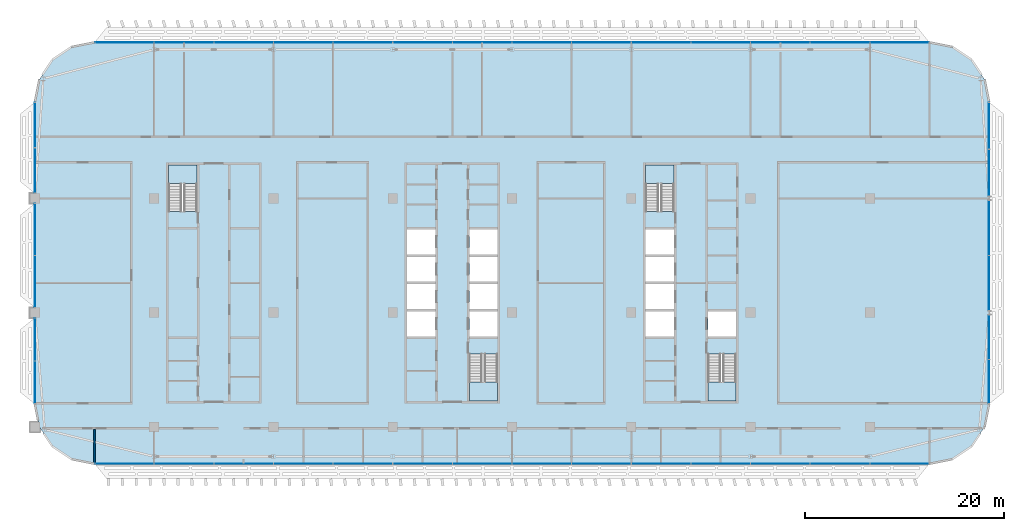
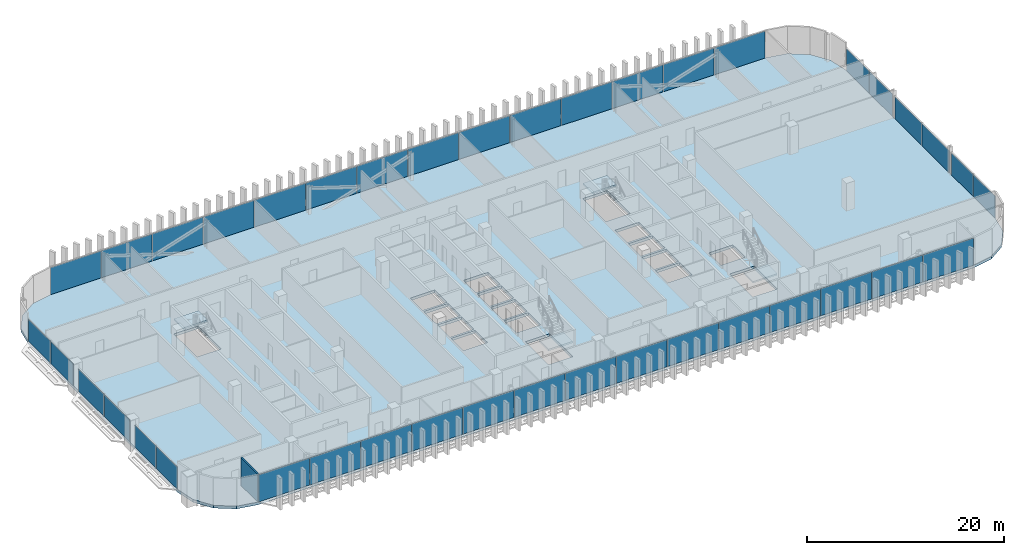
# One storey, part 16 of 34: 40 plates, 5 slabs, 1 wall, 12 elements without a shape of their own.
"""IFC4 building model written with IfcOpenShell, lengths in metres."""

from ifc_helpers import new_model, si_unit, direction, frame, frame_2d, origin, origin_2d, place, context, subcontext, project, spatial, polyline, rectangle, outline, extrude, material, layer, layer_set, type_object, element, aggregate, save


model = new_model("IFC4")

# Units and contexts
model_context = context("Model", 3, precision=1e-05, world=origin(), true_north=direction((0.0, 1.0)))
body_context = subcontext(model_context, "Body", "Model", "MODEL_VIEW")
ifc_project = project(units=[si_unit("LENGTHUNIT", "METRE"), si_unit("AREAUNIT", "SQUARE_METRE"), si_unit("VOLUMEUNIT", "CUBIC_METRE"), si_unit("PLANEANGLEUNIT", "RADIAN"), si_unit("MASSUNIT", "GRAM", prefix="KILO")], contexts=[model_context])

# Site, building, storey
site_placement = place(None, origin())
site = spatial("IfcSite", under=ifc_project, at=site_placement, CompositionType="ELEMENT")
building_placement = place(site_placement, origin())
building = spatial("IfcBuilding", under=site, at=building_placement, Name="Mahtab Terrace Research Tower", CompositionType="ELEMENT")
storey_placement = place(building_placement, frame((0.0, 0.0, 247.60009765625)))
storey = spatial("IfcBuildingStorey", under=building, at=storey_placement, Name="L60", CompositionType="ELEMENT", Elevation=247.60009765625)

# Stair, slab
ifc_material_1 = material(Name="Exit stair half-turn")
stair_type = type_object("IfcStairType", Name="Exit stair half-turn", PredefinedType="HALF_TURN_STAIR", material=ifc_material_1)
stair_1_placement = place(storey_placement, origin())
stair_1 = element("IfcStair", 1, at=stair_1_placement, inside=storey, type_object=stair_type, Name="L60 Protected exit stair ST1", PredefinedType="HALF_TURN_STAIR")
ifc_material_2 = material(Name="Concrete C40/50", Category="concrete")
ifc_layer_1 = layer(ifc_material_2, 0.199951171875)
ifc_layer_set_1 = layer_set([ifc_layer_1], Name="Exit stair landing 200")
slab_type_1 = type_object("IfcSlabType", Name="Exit stair landing 200", PredefinedType="LANDING", material=ifc_layer_set_1)
slab_1_placement = place(storey_placement, frame((0.0, 0.0, 1.699951171875)))
slab_1 = element("IfcSlab", 2, at=slab_1_placement, type_object=slab_type_1, Name="ST1 landing 1", PredefinedType="LANDING", context=body_context, shape_type="SweptSolid", body=[
    extrude(outline(polyline([(-25.699951171875, 12.97509765625), (-25.699951171875, 14.875), (-28.550048828125, 14.875), (-28.550048828125, 12.97509765625), (-25.699951171875, 12.97509765625)])), origin(), (0.0, 0.0, 1.0), 0.199951171875),
])
aggregate(stair_1, [slab_1])

stair_2_placement = place(storey_placement, origin())
stair_2 = element("IfcStair", 3, at=stair_2_placement, inside=storey, type_object=stair_type, Name="L60 Protected exit stair ST2", PredefinedType="HALF_TURN_STAIR")
slab_2_placement = place(storey_placement, frame((0.0, 0.0, 1.699951171875)))
slab_2 = element("IfcSlab", 4, at=slab_2_placement, type_object=slab_type_1, Name="ST2 landing 1", PredefinedType="LANDING", context=body_context, shape_type="SweptSolid", body=[
    extrude(outline(polyline([(1.699951171875, -6.97509765625), (1.699951171875, -8.875), (4.550048828125, -8.875), (4.550048828125, -6.97509765625), (1.699951171875, -6.97509765625)])), origin(), (0.0, 0.0, 1.0), 0.199951171875),
])
aggregate(stair_2, [slab_2])

stair_3_placement = place(storey_placement, origin())
stair_3 = element("IfcStair", 5, at=stair_3_placement, inside=storey, type_object=stair_type, Name="L60 Protected exit stair ST3", PredefinedType="HALF_TURN_STAIR")
slab_3_placement = place(storey_placement, frame((0.0, 0.0, 1.699951171875)))
slab_3 = element("IfcSlab", 6, at=slab_3_placement, type_object=slab_type_1, Name="ST3 landing 1", PredefinedType="LANDING", context=body_context, shape_type="SweptSolid", body=[
    extrude(outline(polyline([(22.300048828125, 12.97509765625), (22.300048828125, 14.875), (19.449951171875, 14.875), (19.449951171875, 12.97509765625), (22.300048828125, 12.97509765625)])), origin(), (0.0, 0.0, 1.0), 0.199951171875),
])
aggregate(stair_3, [slab_3])

stair_4_placement = place(storey_placement, origin())
stair_4 = element("IfcStair", 7, at=stair_4_placement, inside=storey, type_object=stair_type, Name="L60 Protected exit stair ST4", PredefinedType="HALF_TURN_STAIR")
slab_4_placement = place(storey_placement, frame((0.0, 0.0, 1.699951171875)))
slab_4 = element("IfcSlab", 8, at=slab_4_placement, type_object=slab_type_1, Name="ST4 landing 1", PredefinedType="LANDING", context=body_context, shape_type="SweptSolid", body=[
    extrude(outline(polyline([(25.699951171875, -6.97509765625), (25.699951171875, -8.875), (28.550048828125, -8.875), (28.550048828125, -6.97509765625), (25.699951171875, -6.97509765625)])), origin(), (0.0, 0.0, 1.0), 0.199951171875),
])
aggregate(stair_4, [slab_4])

# Curtain wall, plates
ifc_material_3 = material(Name="Office ribbon curtain wall")
curtain_wall_type = type_object("IfcCurtainWallType", Name="Office ribbon curtain wall", PredefinedType="NOTDEFINED", material=ifc_material_3)
curtain_wall_1_placement = place(storey_placement, origin())
curtain_wall_1 = element("IfcCurtainWall", 9, at=curtain_wall_1_placement, inside=storey, type_object=curtain_wall_type, Name="EN.L60.3.3", PredefinedType="NOTDEFINED")
ifc_material_4 = material(Name="Dark glazing", Category="glass")
ifc_layer_2 = layer(ifc_material_4, 0.030029296875)
ifc_layer_set_2 = layer_set([ifc_layer_2], Name="Office ribbon curtain wall glazing panel")
plate_type_1 = type_object("IfcPlateType", Name="Office ribbon curtain wall glazing panel", PredefinedType="CURTAIN_PANEL", material=ifc_layer_set_2)
plate_1_placement = place(storey_placement, frame((44.985107421875, 27.195068359375, 0.0), z_axis=(0.0, 0.0, 1.0), x_axis=(-1.0, 0.0, 0.0)))
plate_1 = element("IfcPlate", 10, at=plate_1_placement, type_object=plate_type_1, Name="CWO-7 panel 1", PredefinedType="CURTAIN_PANEL", context=body_context, shape_type="SweptSolid", body=[
    extrude(rectangle(XDim=5.909912109375, YDim=0.030029296875, at=origin_2d()), origin(), (0.0, 0.0, 1.0), 3.360107421875),
])
plate_2_placement = place(storey_placement, frame((27.0, 27.195068359375, 0.0), z_axis=(0.0, 0.0, 1.0), x_axis=(-1.0, 0.0, 0.0)))
plate_2 = element("IfcPlate", 11, at=plate_2_placement, type_object=plate_type_1, Name="CWO-7 panel 4", PredefinedType="CURTAIN_PANEL", context=body_context, shape_type="SweptSolid", body=[
    extrude(rectangle(XDim=5.93994140625, YDim=0.030029296875, at=origin_2d()), origin(), (0.0, 0.0, 1.0), 3.360107421875),
])
plate_3_placement = place(storey_placement, frame((21.0, 27.195068359375, 0.0), z_axis=(0.0, 0.0, 1.0), x_axis=(-1.0, 0.0, 0.0)))
plate_3 = element("IfcPlate", 12, at=plate_3_placement, type_object=plate_type_1, Name="CWO-7 panel 5", PredefinedType="CURTAIN_PANEL", context=body_context, shape_type="SweptSolid", body=[
    extrude(rectangle(XDim=5.93994140625, YDim=0.030029296875, at=origin_2d()), origin(), (0.0, 0.0, 1.0), 3.360107421875),
])
plate_4_placement = place(storey_placement, frame((15.0, 27.195068359375, 0.0), z_axis=(0.0, 0.0, 1.0), x_axis=(-1.0, 0.0, 0.0)))
plate_4 = element("IfcPlate", 13, at=plate_4_placement, type_object=plate_type_1, Name="CWO-7 panel 6", PredefinedType="CURTAIN_PANEL", context=body_context, shape_type="SweptSolid", body=[
    extrude(rectangle(XDim=5.93994140625, YDim=0.030029296875, at=origin_2d()), origin(), (0.0, 0.0, 1.0), 3.360107421875),
])
plate_5_placement = place(storey_placement, frame((9.0, 27.195068359375, 0.0), z_axis=(0.0, 0.0, 1.0), x_axis=(-1.0, 0.0, 0.0)))
plate_5 = element("IfcPlate", 14, at=plate_5_placement, type_object=plate_type_1, Name="CWO-7 panel 7", PredefinedType="CURTAIN_PANEL", context=body_context, shape_type="SweptSolid", body=[
    extrude(rectangle(XDim=5.93994140625, YDim=0.030029296875, at=origin_2d()), origin(), (0.0, 0.0, 1.0), 3.360107421875),
])
plate_6_placement = place(storey_placement, frame((-9.0, 27.195068359375, 0.0), z_axis=(0.0, 0.0, 1.0), x_axis=(-1.0, 0.0, 0.0)))
plate_6 = element("IfcPlate", 15, at=plate_6_placement, type_object=plate_type_1, Name="CWO-7 panel 10", PredefinedType="CURTAIN_PANEL", context=body_context, shape_type="SweptSolid", body=[
    extrude(rectangle(XDim=5.93994140625, YDim=0.030029296875, at=origin_2d()), origin(), (0.0, 0.0, 1.0), 3.360107421875),
])
plate_7_placement = place(storey_placement, frame((-15.0, 27.195068359375, 0.0), z_axis=(0.0, 0.0, 1.0), x_axis=(-1.0, 0.0, 0.0)))
plate_7 = element("IfcPlate", 16, at=plate_7_placement, type_object=plate_type_1, Name="CWO-7 panel 11", PredefinedType="CURTAIN_PANEL", context=body_context, shape_type="SweptSolid", body=[
    extrude(rectangle(XDim=5.93994140625, YDim=0.030029296875, at=origin_2d()), origin(), (0.0, 0.0, 1.0), 3.360107421875),
])
plate_8_placement = place(storey_placement, frame((-32.985107421875, 27.195068359375, 0.0), z_axis=(0.0, 0.0, 1.0), x_axis=(-1.0, 0.0, 0.0)))
plate_8 = element("IfcPlate", 17, at=plate_8_placement, type_object=plate_type_1, Name="CWO-7 panel 14", PredefinedType="CURTAIN_PANEL", context=body_context, shape_type="SweptSolid", body=[
    extrude(rectangle(XDim=5.909912109375, YDim=0.030029296875, at=origin_2d()), origin(), (0.0, 0.0, 1.0), 3.360107421875),
])

curtain_wall_2_placement = place(storey_placement, origin())
curtain_wall_2 = element("IfcCurtainWall", 18, at=curtain_wall_2_placement, inside=storey, type_object=curtain_wall_type, Name="EN.L60.8.8", PredefinedType="NOTDEFINED")
plate_9_placement = place(storey_placement, frame((-42.0, 18.88134765625, 0.0), z_axis=(0.0, 0.0, 1.0), x_axis=(0.0, -1.0, 0.0)))
plate_9 = element("IfcPlate", 19, at=plate_9_placement, type_object=plate_type_1, Name="CWO-7 panel 1", PredefinedType="CURTAIN_PANEL", context=body_context, shape_type="SweptSolid", body=[
    extrude(rectangle(XDim=4.507568359375, YDim=0.030029296875, at=origin_2d()), origin(), (0.0, 0.0, 1.0), 2.7529296875),
])
plate_10_placement = place(storey_placement, frame((-42.0, 14.313720703125, 0.0), z_axis=(0.0, 0.0, 1.0), x_axis=(0.0, -1.0, 0.0)))
plate_10 = element("IfcPlate", 20, at=plate_10_placement, type_object=plate_type_1, Name="CWO-7 panel 2", PredefinedType="CURTAIN_PANEL", context=body_context, shape_type="SweptSolid", body=[
    extrude(rectangle(XDim=4.507568359375, YDim=0.030029296875, at=origin_2d()), origin(), (0.0, 0.0, 1.0), 2.7529296875),
])
aggregate(curtain_wall_2, [plate_9, plate_10])

curtain_wall_3_placement = place(storey_placement, origin())
curtain_wall_3 = element("IfcCurtainWall", 21, at=curtain_wall_3_placement, inside=storey, type_object=curtain_wall_type, Name="EN.L60.8.9", PredefinedType="NOTDEFINED")
plate_11_placement = place(storey_placement, frame((-42.0, 8.360107421875, 0.0), z_axis=(0.0, 0.0, 1.0), x_axis=(0.0, -1.0, 0.0)))
plate_11 = element("IfcPlate", 22, at=plate_11_placement, type_object=plate_type_1, Name="CWO-7 panel 1", PredefinedType="CURTAIN_PANEL", context=body_context, shape_type="SweptSolid", body=[
    extrude(rectangle(XDim=5.159912109375, YDim=0.030029296875, at=origin_2d()), origin(), (0.0, 0.0, 1.0), 2.7529296875),
])
plate_12_placement = place(storey_placement, frame((-42.0, 3.139892578125, 0.0), z_axis=(0.0, 0.0, 1.0), x_axis=(0.0, -1.0, 0.0)))
plate_12 = element("IfcPlate", 23, at=plate_12_placement, type_object=plate_type_1, Name="CWO-7 panel 2", PredefinedType="CURTAIN_PANEL", context=body_context, shape_type="SweptSolid", body=[
    extrude(rectangle(XDim=5.159912109375, YDim=0.030029296875, at=origin_2d()), origin(), (0.0, 0.0, 1.0), 2.7529296875),
])
aggregate(curtain_wall_3, [plate_11, plate_12])

curtain_wall_4_placement = place(storey_placement, origin())
curtain_wall_4 = element("IfcCurtainWall", 24, at=curtain_wall_4_placement, inside=storey, type_object=curtain_wall_type, Name="EN.L60.8.10", PredefinedType="NOTDEFINED")
plate_13_placement = place(storey_placement, frame((-42.0, -2.688720703125, 0.0), z_axis=(0.0, 0.0, 1.0), x_axis=(0.0, -1.0, 0.0)))
plate_13 = element("IfcPlate", 25, at=plate_13_placement, type_object=plate_type_1, Name="CWO-7 panel 1", PredefinedType="CURTAIN_PANEL", context=body_context, shape_type="SweptSolid", body=[
    extrude(rectangle(XDim=4.257568359375, YDim=0.030029296875, at=origin_2d()), origin(), (0.0, 0.0, 1.0), 2.7529296875),
])
plate_14_placement = place(storey_placement, frame((-42.0, -7.00634765625, 0.0), z_axis=(0.0, 0.0, 1.0), x_axis=(0.0, -1.0, 0.0)))
plate_14 = element("IfcPlate", 26, at=plate_14_placement, type_object=plate_type_1, Name="CWO-7 panel 2", PredefinedType="CURTAIN_PANEL", context=body_context, shape_type="SweptSolid", body=[
    extrude(rectangle(XDim=4.257568359375, YDim=0.030029296875, at=origin_2d()), origin(), (0.0, 0.0, 1.0), 2.7529296875),
])
aggregate(curtain_wall_4, [plate_13, plate_14])

curtain_wall_5_placement = place(storey_placement, origin())
curtain_wall_5 = element("IfcCurtainWall", 27, at=curtain_wall_5_placement, inside=storey, type_object=curtain_wall_type, Name="EN.L60.13.15", PredefinedType="NOTDEFINED")
plate_15_placement = place(storey_placement, frame((-32.985107421875, -15.195068359375, 0.0), z_axis=(0.0, 0.0, 1.0), x_axis=(1.0, 0.0, 0.0)))
plate_15 = element("IfcPlate", 28, at=plate_15_placement, type_object=plate_type_1, Name="CWO-7 panel 1", PredefinedType="CURTAIN_PANEL", context=body_context, shape_type="SweptSolid", body=[
    extrude(rectangle(XDim=5.909912109375, YDim=0.030029296875, at=origin_2d()), origin(), (0.0, 0.0, 1.0), 3.360107421875),
])
plate_16_placement = place(storey_placement, frame((-15.0, -15.195068359375, 0.0), z_axis=(0.0, 0.0, 1.0), x_axis=(1.0, 0.0, 0.0)))
plate_16 = element("IfcPlate", 29, at=plate_16_placement, type_object=plate_type_1, Name="CWO-7 panel 4", PredefinedType="CURTAIN_PANEL", context=body_context, shape_type="SweptSolid", body=[
    extrude(rectangle(XDim=5.93994140625, YDim=0.030029296875, at=origin_2d()), origin(), (0.0, 0.0, 1.0), 3.360107421875),
])
plate_17_placement = place(storey_placement, frame((-9.0, -15.195068359375, 0.0), z_axis=(0.0, 0.0, 1.0), x_axis=(1.0, 0.0, 0.0)))
plate_17 = element("IfcPlate", 30, at=plate_17_placement, type_object=plate_type_1, Name="CWO-7 panel 5", PredefinedType="CURTAIN_PANEL", context=body_context, shape_type="SweptSolid", body=[
    extrude(rectangle(XDim=5.93994140625, YDim=0.030029296875, at=origin_2d()), origin(), (0.0, 0.0, 1.0), 3.360107421875),
])
plate_18_placement = place(storey_placement, frame((-3.0, -15.195068359375, 0.0), z_axis=(0.0, 0.0, 1.0), x_axis=(1.0, 0.0, 0.0)))
plate_18 = element("IfcPlate", 31, at=plate_18_placement, type_object=plate_type_1, Name="CWO-7 panel 6", PredefinedType="CURTAIN_PANEL", context=body_context, shape_type="SweptSolid", body=[
    extrude(rectangle(XDim=5.93994140625, YDim=0.030029296875, at=origin_2d()), origin(), (0.0, 0.0, 1.0), 3.360107421875),
])
plate_19_placement = place(storey_placement, frame((3.0, -15.195068359375, 0.0), z_axis=(0.0, 0.0, 1.0), x_axis=(1.0, 0.0, 0.0)))
plate_19 = element("IfcPlate", 32, at=plate_19_placement, type_object=plate_type_1, Name="CWO-7 panel 7", PredefinedType="CURTAIN_PANEL", context=body_context, shape_type="SweptSolid", body=[
    extrude(rectangle(XDim=5.93994140625, YDim=0.030029296875, at=origin_2d()), origin(), (0.0, 0.0, 1.0), 3.360107421875),
])
plate_20_placement = place(storey_placement, frame((9.0, -15.195068359375, 0.0), z_axis=(0.0, 0.0, 1.0), x_axis=(1.0, 0.0, 0.0)))
plate_20 = element("IfcPlate", 33, at=plate_20_placement, type_object=plate_type_1, Name="CWO-7 panel 8", PredefinedType="CURTAIN_PANEL", context=body_context, shape_type="SweptSolid", body=[
    extrude(rectangle(XDim=5.93994140625, YDim=0.030029296875, at=origin_2d()), origin(), (0.0, 0.0, 1.0), 3.360107421875),
])
plate_21_placement = place(storey_placement, frame((15.0, -15.195068359375, 0.0), z_axis=(0.0, 0.0, 1.0), x_axis=(1.0, 0.0, 0.0)))
plate_21 = element("IfcPlate", 34, at=plate_21_placement, type_object=plate_type_1, Name="CWO-7 panel 9", PredefinedType="CURTAIN_PANEL", context=body_context, shape_type="SweptSolid", body=[
    extrude(rectangle(XDim=5.93994140625, YDim=0.030029296875, at=origin_2d()), origin(), (0.0, 0.0, 1.0), 3.360107421875),
])
plate_22_placement = place(storey_placement, frame((21.0, -15.195068359375, 0.0), z_axis=(0.0, 0.0, 1.0), x_axis=(1.0, 0.0, 0.0)))
plate_22 = element("IfcPlate", 35, at=plate_22_placement, type_object=plate_type_1, Name="CWO-7 panel 10", PredefinedType="CURTAIN_PANEL", context=body_context, shape_type="SweptSolid", body=[
    extrude(rectangle(XDim=5.93994140625, YDim=0.030029296875, at=origin_2d()), origin(), (0.0, 0.0, 1.0), 3.360107421875),
])
plate_23_placement = place(storey_placement, frame((27.0, -15.195068359375, 0.0), z_axis=(0.0, 0.0, 1.0), x_axis=(1.0, 0.0, 0.0)))
plate_23 = element("IfcPlate", 36, at=plate_23_placement, type_object=plate_type_1, Name="CWO-7 panel 11", PredefinedType="CURTAIN_PANEL", context=body_context, shape_type="SweptSolid", body=[
    extrude(rectangle(XDim=5.93994140625, YDim=0.030029296875, at=origin_2d()), origin(), (0.0, 0.0, 1.0), 3.360107421875),
])
plate_24_placement = place(storey_placement, frame((44.985107421875, -15.195068359375, 0.0), z_axis=(0.0, 0.0, 1.0), x_axis=(1.0, 0.0, 0.0)))
plate_24 = element("IfcPlate", 37, at=plate_24_placement, type_object=plate_type_1, Name="CWO-7 panel 14", PredefinedType="CURTAIN_PANEL", context=body_context, shape_type="SweptSolid", body=[
    extrude(rectangle(XDim=5.909912109375, YDim=0.030029296875, at=origin_2d()), origin(), (0.0, 0.0, 1.0), 3.360107421875),
])

curtain_wall_6_placement = place(storey_placement, origin())
curtain_wall_6 = element("IfcCurtainWall", 38, at=curtain_wall_6_placement, inside=storey, type_object=curtain_wall_type, Name="EN.L60.18.21", PredefinedType="NOTDEFINED")
plate_25_placement = place(storey_placement, frame((54.0, -6.929443359375, 0.0), z_axis=(0.0, 0.0, 1.0), x_axis=(0.0, 1.0, 0.0)))
plate_25 = element("IfcPlate", 39, at=plate_25_placement, type_object=plate_type_1, Name="CWO-7 panel 1", PredefinedType="CURTAIN_PANEL", context=body_context, shape_type="SweptSolid", body=[
    extrude(rectangle(XDim=4.410888671875, YDim=0.030029296875, at=origin_2d()), origin(), (0.0, 0.0, 1.0), 2.7529296875),
])
plate_26_placement = place(storey_placement, frame((54.0, -2.45849609375, 0.0), z_axis=(0.0, 0.0, 1.0), x_axis=(0.0, 1.0, 0.0)))
plate_26 = element("IfcPlate", 40, at=plate_26_placement, type_object=plate_type_1, Name="CWO-7 panel 2", PredefinedType="CURTAIN_PANEL", context=body_context, shape_type="SweptSolid", body=[
    extrude(rectangle(XDim=4.410888671875, YDim=0.030029296875, at=origin_2d()), origin(), (0.0, 0.0, 1.0), 2.7529296875),
])
aggregate(curtain_wall_6, [plate_25, plate_26])

curtain_wall_7_placement = place(storey_placement, origin())
curtain_wall_7 = element("IfcCurtainWall", 41, at=curtain_wall_7_placement, inside=storey, type_object=curtain_wall_type, Name="EN.L60.18.22", PredefinedType="NOTDEFINED")
plate_27_placement = place(storey_placement, frame((54.0, 2.986572265625, 0.0), z_axis=(0.0, 0.0, 1.0), x_axis=(0.0, 1.0, 0.0)))
plate_27 = element("IfcPlate", 42, at=plate_27_placement, type_object=plate_type_1, Name="CWO-7 panel 1", PredefinedType="CURTAIN_PANEL", context=body_context, shape_type="SweptSolid", body=[
    extrude(rectangle(XDim=5.467041015625, YDim=0.030029296875, at=origin_2d()), origin(), (0.0, 0.0, 1.0), 2.7529296875),
])
plate_28_placement = place(storey_placement, frame((54.0, 8.513427734375, 0.0), z_axis=(0.0, 0.0, 1.0), x_axis=(0.0, 1.0, 0.0)))
plate_28 = element("IfcPlate", 43, at=plate_28_placement, type_object=plate_type_1, Name="CWO-7 panel 2", PredefinedType="CURTAIN_PANEL", context=body_context, shape_type="SweptSolid", body=[
    extrude(rectangle(XDim=5.467041015625, YDim=0.030029296875, at=origin_2d()), origin(), (0.0, 0.0, 1.0), 2.7529296875),
])
aggregate(curtain_wall_7, [plate_27, plate_28])

curtain_wall_8_placement = place(storey_placement, origin())
curtain_wall_8 = element("IfcCurtainWall", 44, at=curtain_wall_8_placement, inside=storey, type_object=curtain_wall_type, Name="EN.L60.18.23", PredefinedType="NOTDEFINED")
plate_29_placement = place(storey_placement, frame((54.0, 14.08349609375, 0.0), z_axis=(0.0, 0.0, 1.0), x_axis=(0.0, 1.0, 0.0)))
plate_29 = element("IfcPlate", 45, at=plate_29_placement, type_object=plate_type_1, Name="CWO-7 panel 1", PredefinedType="CURTAIN_PANEL", context=body_context, shape_type="SweptSolid", body=[
    extrude(rectangle(XDim=4.660888671875, YDim=0.030029296875, at=origin_2d()), origin(), (0.0, 0.0, 1.0), 2.7529296875),
])
plate_30_placement = place(storey_placement, frame((54.0, 18.804443359375, 0.0), z_axis=(0.0, 0.0, 1.0), x_axis=(0.0, 1.0, 0.0)))
plate_30 = element("IfcPlate", 46, at=plate_30_placement, type_object=plate_type_1, Name="CWO-7 panel 2", PredefinedType="CURTAIN_PANEL", context=body_context, shape_type="SweptSolid", body=[
    extrude(rectangle(XDim=4.660888671875, YDim=0.030029296875, at=origin_2d()), origin(), (0.0, 0.0, 1.0), 2.7529296875),
])
aggregate(curtain_wall_8, [plate_29, plate_30])

# Plate
ifc_material_5 = material(Name="Insulated aluminium spandrel panel", Category="aluminium")
ifc_layer_3 = layer(ifc_material_5, 0.030029296875)
ifc_layer_set_3 = layer_set([ifc_layer_3], Name="Office ribbon curtain wall spandrel infill panel")
plate_type_2 = type_object("IfcPlateType", Name="Office ribbon curtain wall spandrel infill panel", PredefinedType="CURTAIN_PANEL", material=ifc_layer_set_3)
plate_31_placement = place(storey_placement, frame((39.0, 27.195068359375, 0.0), z_axis=(0.0, 0.0, 1.0), x_axis=(-1.0, 0.0, 0.0)))
plate_31 = element("IfcPlate", 47, at=plate_31_placement, type_object=plate_type_2, Name="CWO-7 infill panel 2", PredefinedType="CURTAIN_PANEL", context=body_context, shape_type="SweptSolid", body=[
    extrude(rectangle(XDim=5.93994140625, YDim=0.030029296875, at=origin_2d()), origin(), (0.0, 0.0, 1.0), 3.360107421875),
])

plate_32_placement = place(storey_placement, frame((33.0, 27.195068359375, 0.0), z_axis=(0.0, 0.0, 1.0), x_axis=(-1.0, 0.0, 0.0)))
plate_32 = element("IfcPlate", 48, at=plate_32_placement, type_object=plate_type_2, Name="CWO-7 infill panel 3", PredefinedType="CURTAIN_PANEL", context=body_context, shape_type="SweptSolid", body=[
    extrude(rectangle(XDim=5.93994140625, YDim=0.030029296875, at=origin_2d()), origin(), (0.0, 0.0, 1.0), 3.360107421875),
])

plate_33_placement = place(storey_placement, frame((3.0, 27.195068359375, 0.0), z_axis=(0.0, 0.0, 1.0), x_axis=(-1.0, 0.0, 0.0)))
plate_33 = element("IfcPlate", 49, at=plate_33_placement, type_object=plate_type_2, Name="CWO-7 infill panel 8", PredefinedType="CURTAIN_PANEL", context=body_context, shape_type="SweptSolid", body=[
    extrude(rectangle(XDim=5.93994140625, YDim=0.030029296875, at=origin_2d()), origin(), (0.0, 0.0, 1.0), 3.360107421875),
])

plate_34_placement = place(storey_placement, frame((-3.0, 27.195068359375, 0.0), z_axis=(0.0, 0.0, 1.0), x_axis=(-1.0, 0.0, 0.0)))
plate_34 = element("IfcPlate", 50, at=plate_34_placement, type_object=plate_type_2, Name="CWO-7 infill panel 9", PredefinedType="CURTAIN_PANEL", context=body_context, shape_type="SweptSolid", body=[
    extrude(rectangle(XDim=5.93994140625, YDim=0.030029296875, at=origin_2d()), origin(), (0.0, 0.0, 1.0), 3.360107421875),
])

plate_35_placement = place(storey_placement, frame((-21.0, 27.195068359375, 0.0), z_axis=(0.0, 0.0, 1.0), x_axis=(-1.0, 0.0, 0.0)))
plate_35 = element("IfcPlate", 51, at=plate_35_placement, type_object=plate_type_2, Name="CWO-7 infill panel 12", PredefinedType="CURTAIN_PANEL", context=body_context, shape_type="SweptSolid", body=[
    extrude(rectangle(XDim=5.93994140625, YDim=0.030029296875, at=origin_2d()), origin(), (0.0, 0.0, 1.0), 3.360107421875),
])

plate_36_placement = place(storey_placement, frame((-27.0, 27.195068359375, 0.0), z_axis=(0.0, 0.0, 1.0), x_axis=(-1.0, 0.0, 0.0)))
plate_36 = element("IfcPlate", 52, at=plate_36_placement, type_object=plate_type_2, Name="CWO-7 infill panel 13", PredefinedType="CURTAIN_PANEL", context=body_context, shape_type="SweptSolid", body=[
    extrude(rectangle(XDim=5.93994140625, YDim=0.030029296875, at=origin_2d()), origin(), (0.0, 0.0, 1.0), 3.360107421875),
])

aggregate(curtain_wall_1, [plate_1, plate_31, plate_32, plate_2, plate_3, plate_4, plate_5, plate_33, plate_34, plate_6, plate_7, plate_35, plate_36, plate_8])

plate_37_placement = place(storey_placement, frame((-27.0, -15.195068359375, 0.0), z_axis=(0.0, 0.0, 1.0), x_axis=(1.0, 0.0, 0.0)))
plate_37 = element("IfcPlate", 53, at=plate_37_placement, type_object=plate_type_2, Name="CWO-7 infill panel 2", PredefinedType="CURTAIN_PANEL", context=body_context, shape_type="SweptSolid", body=[
    extrude(rectangle(XDim=5.93994140625, YDim=0.030029296875, at=origin_2d()), origin(), (0.0, 0.0, 1.0), 3.360107421875),
])

plate_38_placement = place(storey_placement, frame((-21.0, -15.195068359375, 0.0), z_axis=(0.0, 0.0, 1.0), x_axis=(1.0, 0.0, 0.0)))
plate_38 = element("IfcPlate", 54, at=plate_38_placement, type_object=plate_type_2, Name="CWO-7 infill panel 3", PredefinedType="CURTAIN_PANEL", context=body_context, shape_type="SweptSolid", body=[
    extrude(rectangle(XDim=5.93994140625, YDim=0.030029296875, at=origin_2d()), origin(), (0.0, 0.0, 1.0), 3.360107421875),
])

plate_39_placement = place(storey_placement, frame((33.0, -15.195068359375, 0.0), z_axis=(0.0, 0.0, 1.0), x_axis=(1.0, 0.0, 0.0)))
plate_39 = element("IfcPlate", 55, at=plate_39_placement, type_object=plate_type_2, Name="CWO-7 infill panel 12", PredefinedType="CURTAIN_PANEL", context=body_context, shape_type="SweptSolid", body=[
    extrude(rectangle(XDim=5.93994140625, YDim=0.030029296875, at=origin_2d()), origin(), (0.0, 0.0, 1.0), 3.360107421875),
])

plate_40_placement = place(storey_placement, frame((39.0, -15.195068359375, 0.0), z_axis=(0.0, 0.0, 1.0), x_axis=(1.0, 0.0, 0.0)))
plate_40 = element("IfcPlate", 56, at=plate_40_placement, type_object=plate_type_2, Name="CWO-7 infill panel 13", PredefinedType="CURTAIN_PANEL", context=body_context, shape_type="SweptSolid", body=[
    extrude(rectangle(XDim=5.93994140625, YDim=0.030029296875, at=origin_2d()), origin(), (0.0, 0.0, 1.0), 3.360107421875),
])

aggregate(curtain_wall_5, [plate_15, plate_37, plate_38, plate_16, plate_17, plate_18, plate_19, plate_20, plate_21, plate_22, plate_23, plate_39, plate_40, plate_24])

# Slab
ifc_layer_4 = layer(ifc_material_2, 0.340087890625)
ifc_layer_set_4 = layer_set([ifc_layer_4], Name="PT flat slab 340")
slab_type_2 = type_object("IfcSlabType", Name="PT flat slab 340", PredefinedType="FLOOR", material=ifc_layer_set_4)
slab_5_placement = place(storey_placement, frame((0.0, 0.0, -0.340087890625)))
element("IfcSlab", 57, at=slab_5_placement, inside=storey, type_object=slab_type_2, Name="Floor slab L60", PredefinedType="FLOOR", context=body_context, shape_type="SweptSolid", body=[
    extrude(outline(polyline([(53.54296875, 23.490966796875), (52.242919921875, 25.43798828125), (50.2958984375, 26.738037109375), (48.0, 27.195068359375), (-36.0, 27.195068359375), (-38.2958984375, 26.738037109375), (-40.242919921875, 25.43798828125), (-41.54296875, 23.490966796875), (-42.0, 21.195068359375), (-42.0, -9.195068359375), (-41.54296875, -11.490966796875), (-40.242919921875, -13.43798828125), (-38.2958984375, -14.738037109375), (-36.0, -15.195068359375), (48.0, -15.195068359375), (50.2958984375, -14.738037109375), (52.242919921875, -13.43798828125), (53.54296875, -11.490966796875), (54.0, -9.195068359375), (54.0, 21.195068359375), (53.54296875, 23.490966796875)]), holes=[polyline([(-4.550048828125, -2.375), (-4.550048828125, 0.125), (-1.699951171875, 0.125), (-1.699951171875, -2.375), (-4.550048828125, -2.375)]), polyline([(1.699951171875, -2.375), (1.699951171875, 0.125), (4.550048828125, 0.125), (4.550048828125, -2.375), (1.699951171875, -2.375)]), polyline([(-4.550048828125, 0.375), (-4.550048828125, 2.875), (-1.699951171875, 2.875), (-1.699951171875, 0.375), (-4.550048828125, 0.375)]), polyline([(1.699951171875, 0.375), (1.699951171875, 2.875), (4.550048828125, 2.875), (4.550048828125, 0.375), (1.699951171875, 0.375)]), polyline([(-4.550048828125, 3.125), (-4.550048828125, 5.625), (-1.699951171875, 5.625), (-1.699951171875, 3.125), (-4.550048828125, 3.125)]), polyline([(1.699951171875, 3.125), (1.699951171875, 5.625), (4.550048828125, 5.625), (4.550048828125, 3.125), (1.699951171875, 3.125)]), polyline([(-4.550048828125, 5.875), (-4.550048828125, 8.375), (-1.699951171875, 8.375), (-1.699951171875, 5.875), (-4.550048828125, 5.875)]), polyline([(1.699951171875, 5.875), (1.699951171875, 8.375), (4.550048828125, 8.375), (4.550048828125, 5.875), (1.699951171875, 5.875)]), polyline([(-28.550048828125, 10.177001953125), (-28.550048828125, 14.875), (-25.699951171875, 14.875), (-25.699951171875, 10.177001953125), (-28.550048828125, 10.177001953125)]), polyline([(1.699951171875, -8.875), (1.699951171875, -4.177001953125), (4.550048828125, -4.177001953125), (4.550048828125, -8.875), (1.699951171875, -8.875)]), polyline([(25.699951171875, -8.875), (25.699951171875, -4.177001953125), (28.550048828125, -4.177001953125), (28.550048828125, -8.875), (25.699951171875, -8.875)]), polyline([(19.449951171875, -2.375), (19.449951171875, 0.125), (22.300048828125, 0.125), (22.300048828125, -2.375), (19.449951171875, -2.375)]), polyline([(25.699951171875, -2.375), (25.699951171875, 0.125), (28.550048828125, 0.125), (28.550048828125, -2.375), (25.699951171875, -2.375)]), polyline([(19.449951171875, 0.375), (19.449951171875, 2.875), (22.300048828125, 2.875), (22.300048828125, 0.375), (19.449951171875, 0.375)]), polyline([(19.449951171875, 3.125), (19.449951171875, 5.625), (22.300048828125, 5.625), (22.300048828125, 3.125), (19.449951171875, 3.125)]), polyline([(19.449951171875, 8.375), (22.300048828125, 8.375), (22.300048828125, 5.875), (19.449951171875, 5.875), (19.449951171875, 8.375)]), polyline([(19.449951171875, 14.875), (22.300048828125, 14.875), (22.300048828125, 10.177001953125), (19.449951171875, 10.177001953125), (19.449951171875, 14.875)])]), origin(), (0.0, 0.0, 1.0), 0.340087890625),
])

# Wall
ifc_material_6 = material(Name="Gypsum board partition on steel studs", Category="steel")
ifc_layer_5 = layer(ifc_material_6, 0.14990234375)
ifc_layer_set_5 = layer_set([ifc_layer_5], Name="WALL PARTITION 150")
wall_type = type_object("IfcWallType", Name="WALL PARTITION 150", PredefinedType="PARTITIONING", material=ifc_layer_set_5)
wall_placement = place(storey_placement, frame((-36.0, -15.169921875, 0.0), z_axis=(0.0, 0.0, 1.0), x_axis=(0.0, 1.0, 0.0)))
element("IfcWall", 58, at=wall_placement, inside=storey, type_object=wall_type, Name="L60-W026", PredefinedType="PARTITIONING", context=body_context, shape_type="SweptSolid", body=[
    extrude(rectangle(XDim=3.4248046875, YDim=0.14990234375, at=frame_2d((1.71240234375, 0.0))), origin(), (0.0, 0.0, 1.0), 3.4599609375),
])

save(model, "model.ifc")
